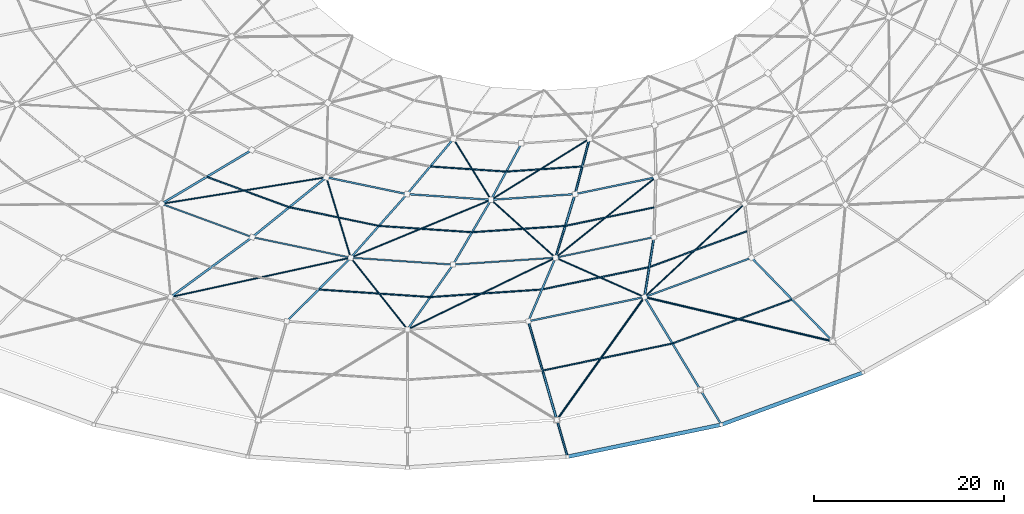
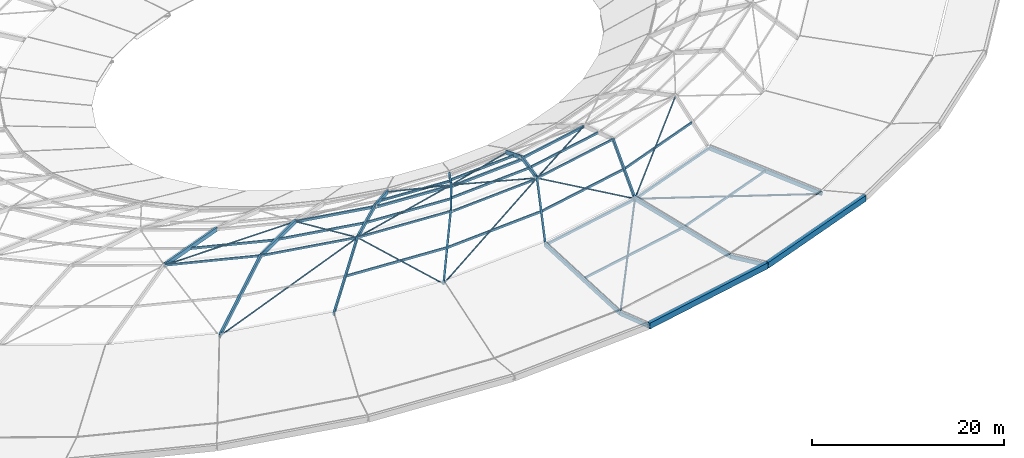
# One storey, part 3 of 30: 56 members, 2 beams.
"""IFC4 building model written with IfcOpenShell, lengths in metres."""

from ifc_helpers import new_model, si_unit, direction, frame, origin, origin_2d, place, context, subcontext, project, spatial, rectangle, hollow_rectangle, hollow_circle, extrude, material, material_profile, profile_set, type_object, element, save


model = new_model("IFC4")

# Units and contexts
model_context = context("Model", 3, precision=1e-05, world=origin(), true_north=direction((0.0, 1.0)))
body_context = subcontext(model_context, "Body", "Model", "MODEL_VIEW")
ifc_project = project(units=[si_unit("LENGTHUNIT", "METRE"), si_unit("AREAUNIT", "SQUARE_METRE"), si_unit("VOLUMEUNIT", "CUBIC_METRE"), si_unit("PLANEANGLEUNIT", "RADIAN"), si_unit("MASSUNIT", "GRAM", prefix="KILO")], contexts=[model_context])

# Site, building, storey
site_placement = place(None, origin())
site = spatial("IfcSite", under=ifc_project, at=site_placement, CompositionType="ELEMENT")
building_placement = place(site_placement, origin())
building = spatial("IfcBuilding", under=site, at=building_placement, Name="Namkhue Oval Health Centre", CompositionType="ELEMENT")
storey_placement = place(building_placement, frame((0.0, 0.0, 26.39990234375)))
storey = spatial("IfcBuildingStorey", under=building, at=storey_placement, Name="RF", CompositionType="ELEMENT", Elevation=26.39990234375)

# Beams
ifc_material_1 = material(Name="Precast architectural concrete C35/45 (TCVN B40)", Category="concrete")
ifc_material_profile_1 = material_profile(ifc_material_1, rectangle(XDim=0.39990234375, YDim=0.75, at=origin_2d()), Name="RC 400x750")
ifc_profile_set_1 = profile_set([ifc_material_profile_1], Name="Precast architectural concrete C35/45 (TCVN B40)")
beam_type = type_object("IfcBeamType", Name="CONCRETE EDGE BAND 400X750", PredefinedType="SPANDREL", material=ifc_profile_set_1)
beam_1_placement = place(storey_placement, frame((103.294921875, 1.1494140625, 0.7001953125), z_axis=(0.978936512804, 0.204164893896, 0.0), x_axis=(-0.204164893896, 0.978936512804, 0.0)))
element("IfcBeam", 1, at=beam_1_placement, inside=storey, type_object=beam_type, Name="Elliptical Roof Concrete Fascia Band 26", PredefinedType="SPANDREL", context=body_context, shape_type="SweptSolid", body=[
    extrude(rectangle(XDim=0.39990234375, YDim=0.75, at=origin_2d()), origin(), (0.0, 0.0, 1.0), 16.47705078125),
])
beam_2_placement = place(storey_placement, frame((119.50146484375, 4.535400390625, 0.7001953125), z_axis=(0.938632884907, 0.344917826982, 0.0), x_axis=(-0.344917826982, 0.938632884907, 0.0)))
element("IfcBeam", 2, at=beam_2_placement, inside=storey, type_object=beam_type, Name="Elliptical Roof Concrete Fascia Band 27", PredefinedType="SPANDREL", context=body_context, shape_type="SweptSolid", body=[
    extrude(rectangle(XDim=0.39990234375, YDim=0.75, at=origin_2d()), origin(), (0.0, 0.0, 1.0), 15.833984375),
])

# Members
ifc_material_2 = material(Name="Structural steel EN 10025-2 S355JR (TCVN 5575:2024)", Category="steel")
ifc_material_profile_2 = material_profile(ifc_material_2, hollow_circle(Radius=0.084228515625, WallThickness=0.008056640625, at=origin_2d()), Name="CHS 168.3x8")
ifc_profile_set_2 = profile_set([ifc_material_profile_2], Name="Structural steel EN 10025-2 S355JR (TCVN 5575:2024)")
member_type_1 = type_object("IfcMemberType", Name="DIAGONAL BRACE CHS 168", PredefinedType="BRACE", material=ifc_profile_set_2)
member_1_placement = place(storey_placement, frame((61.4658203125, 17.97314453125, 3.785400390625), z_axis=(0.962304376613, 0.210341858229, 0.172414005892), x_axis=(-0.213539706388, 0.976934385614, 0.0)))
element("IfcMember", 3, at=member_1_placement, inside=storey, type_object=member_type_1, Name="Gridshell Diagonal Brace K2-23", PredefinedType="BRACE", context=body_context, shape_type="SweptSolid", body=[
    extrude(hollow_circle(Radius=0.084228515625, WallThickness=0.008056640625, at=origin_2d()), origin(), (0.0, 0.0, 1.0), 19.658447265625),
])
member_2_placement = place(storey_placement, frame((86.38232421875, 14.5751953125, 3.7900390625), z_axis=(-0.585476240579, 0.739379576204, 0.332468666208), x_axis=(-0.783976634545, -0.620790332148, 0.0)))
element("IfcMember", 4, at=member_2_placement, inside=storey, type_object=member_type_1, Name="Gridshell Diagonal Brace K2-24", PredefinedType="BRACE", context=body_context, shape_type="SweptSolid", body=[
    extrude(hollow_circle(Radius=0.084228515625, WallThickness=0.008056640625, at=origin_2d()), origin(), (0.0, 0.0, 1.0), 10.166748046875),
])
member_3_placement = place(storey_placement, frame((86.426513671875, 14.56591796875, 3.785888671875), z_axis=(0.882889202682, 0.428276884017, 0.192576131448), x_axis=(-0.43644626971, 0.899730322739, 0.0)))
element("IfcMember", 5, at=member_3_placement, inside=storey, type_object=member_type_1, Name="Gridshell Diagonal Brace K2-25", PredefinedType="BRACE", context=body_context, shape_type="SweptSolid", body=[
    extrude(hollow_circle(Radius=0.084228515625, WallThickness=0.008056640625, at=origin_2d()), origin(), (0.0, 0.0, 1.0), 17.59521484375),
])
member_4_placement = place(storey_placement, frame((111.337158203125, 17.978271484375, 3.78955078125), z_axis=(-0.868015496358, 0.384001618191, 0.314788588276), x_axis=(-0.404569182492, -0.914507395584, 0.0)))
element("IfcMember", 6, at=member_4_placement, inside=storey, type_object=member_type_1, Name="Gridshell Diagonal Brace K2-26", PredefinedType="BRACE", context=body_context, shape_type="SweptSolid", body=[
    extrude(hollow_circle(Radius=0.084228515625, WallThickness=0.008056640625, at=origin_2d()), origin(), (0.0, 0.0, 1.0), 10.740966796875),
])
member_5_placement = place(storey_placement, frame((111.384521484375, 17.98681640625, 3.787109375), z_axis=(0.712553929293, 0.663036320099, 0.229455303011), x_axis=(-0.681211590717, 0.732086585502, 0.0)))
element("IfcMember", 7, at=member_5_placement, inside=storey, type_object=member_type_1, Name="Gridshell Diagonal Brace K2-27", PredefinedType="BRACE", context=body_context, shape_type="SweptSolid", body=[
    extrude(hollow_circle(Radius=0.084228515625, WallThickness=0.008056640625, at=origin_2d()), origin(), (0.0, 0.0, 1.0), 14.756591796875),
])
member_6_placement = place(storey_placement, frame((60.508544921875, 27.795654296875, 7.176513671875), z_axis=(0.979627896285, 0.157860038144, -0.124134576882), x_axis=(-0.159090541224, 0.98726399696, 0.0)))
element("IfcMember", 8, at=member_6_placement, inside=storey, type_object=member_type_1, Name="Gridshell Diagonal Brace K3-22", PredefinedType="BRACE", context=body_context, shape_type="SweptSolid", body=[
    extrude(hollow_circle(Radius=0.084228515625, WallThickness=0.008056640625, at=origin_2d()), origin(), (0.0, 0.0, 1.0), 17.663330078125),
])
member_7_placement = place(storey_placement, frame((80.40380859375, 22.142333984375, 7.1728515625), z_axis=(-0.281738687173, 0.928706160959, -0.241097861349), x_axis=(-0.956934967866, -0.29030237215, 0.0)))
element("IfcMember", 9, at=member_7_placement, inside=storey, type_object=member_type_1, Name="Gridshell Diagonal Brace K3-23", PredefinedType="BRACE", context=body_context, shape_type="SweptSolid", body=[
    extrude(hollow_circle(Radius=0.084228515625, WallThickness=0.008056640625, at=origin_2d()), origin(), (0.0, 0.0, 1.0), 9.06494140625),
])
member_8_placement = place(storey_placement, frame((80.439697265625, 22.125732421875, 7.176025390625), z_axis=(0.915805647914, 0.377804354967, -0.136249347214), x_axis=(-0.381360705269, 0.924426315331, 0.0)))
element("IfcMember", 10, at=member_8_placement, inside=storey, type_object=member_type_1, Name="Gridshell Diagonal Brace K3-24", PredefinedType="BRACE", context=body_context, shape_type="SweptSolid", body=[
    extrude(hollow_circle(Radius=0.084228515625, WallThickness=0.008056640625, at=origin_2d()), origin(), (0.0, 0.0, 1.0), 16.08740234375),
])
member_9_placement = place(storey_placement, frame((101.966064453125, 22.134033203125, 7.173095703125), z_axis=(-0.723042605411, 0.649835359534, -0.234357411361), x_axis=(-0.668451393492, -0.743755829919, 0.0)))
element("IfcMember", 11, at=member_9_placement, inside=storey, type_object=member_type_1, Name="Gridshell Diagonal Brace K3-25", PredefinedType="BRACE", context=body_context, shape_type="SweptSolid", body=[
    extrude(hollow_circle(Radius=0.084228515625, WallThickness=0.008056640625, at=origin_2d()), origin(), (0.0, 0.0, 1.0), 9.327880859375),
])
member_10_placement = place(storey_placement, frame((102.0107421875, 22.133056640625, 7.17529296875), z_axis=(0.77014658579, 0.617399982795, -0.160285675096), x_axis=(-0.625487113752, 0.780234497142, 0.0)))
element("IfcMember", 12, at=member_10_placement, inside=storey, type_object=member_type_1, Name="Gridshell Diagonal Brace K3-26", PredefinedType="BRACE", context=body_context, shape_type="SweptSolid", body=[
    extrude(hollow_circle(Radius=0.084228515625, WallThickness=0.008056640625, at=origin_2d()), origin(), (0.0, 0.0, 1.0), 13.665771484375),
])
member_11_placement = place(storey_placement, frame((95.185546875, 28.23828125, 4.9677734375), z_axis=(-0.478737347837, 0.775995281647, -0.410660291053), x_axis=(-0.85106946245, -0.525053111681, 0.0)))
element("IfcMember", 13, at=member_11_placement, inside=storey, type_object=member_type_1, Name="Gridshell Diagonal Brace K4-24", PredefinedType="BRACE", context=body_context, shape_type="SweptSolid", body=[
    extrude(hollow_circle(Radius=0.084228515625, WallThickness=0.008056640625, at=origin_2d()), origin(), (0.0, 0.0, 1.0), 8.2197265625),
])
member_12_placement = place(storey_placement, frame((95.224609375, 28.230224609375, 4.971923828125), z_axis=(0.818696289096, 0.507545579872, -0.268577494541), x_axis=(-0.526905084117, 0.84992413328, 0.0)))
element("IfcMember", 14, at=member_12_placement, inside=storey, type_object=member_type_1, Name="Gridshell Diagonal Brace K4-25", PredefinedType="BRACE", context=body_context, shape_type="SweptSolid", body=[
    extrude(hollow_circle(Radius=0.084228515625, WallThickness=0.008056640625, at=origin_2d()), origin(), (0.0, 0.0, 1.0), 12.598876953125),
])
ifc_material_profile_3 = material_profile(ifc_material_2, hollow_circle(Radius=0.109619140625, WallThickness=0.010009765625, at=origin_2d()), Name="CHS 219.1x10")
ifc_profile_set_3 = profile_set([ifc_material_profile_3], Name="Structural steel EN 10025-2 S355JR (TCVN 5575:2024)")
member_type_2 = type_object("IfcMemberType", Name="DIAGONAL BRACE CHS 219", PredefinedType="BRACE", material=ifc_profile_set_3)
member_13_placement = place(storey_placement, frame((102.149169921875, 5.049072265625, 0.28662109375), z_axis=(0.567118199003, 0.795073490057, 0.215023472601), x_axis=(-0.81411658814, 0.580701455926, 0.0)))
element("IfcMember", 15, at=member_13_placement, inside=storey, type_object=member_type_2, Name="Gridshell Diagonal Brace K1-26", PredefinedType="BRACE", context=body_context, shape_type="SweptSolid", body=[
    extrude(hollow_circle(Radius=0.109619140625, WallThickness=0.010009765625, at=origin_2d()), origin(), (0.0, 0.0, 1.0), 16.217041015625),
])
member_14_placement = place(storey_placement, frame((131.17236328125, 13.31005859375, 0.28515625), z_axis=(-0.959417449288, 0.225537703519, 0.169265774131), x_axis=(-0.228839759926, -0.973464105284, 0.0)))
element("IfcMember", 16, at=member_14_placement, inside=storey, type_object=member_type_2, Name="Gridshell Diagonal Brace K1-27", PredefinedType="BRACE", context=body_context, shape_type="SweptSolid", body=[
    extrude(hollow_circle(Radius=0.109619140625, WallThickness=0.010009765625, at=origin_2d()), origin(), (0.0, 0.0, 1.0), 20.616943359375),
])
ifc_material_3 = material(Name="Glulam timber GL28h", Category="wood")
ifc_material_profile_4 = material_profile(ifc_material_3, rectangle(XDim=0.199951171875, YDim=0.47998046875, at=origin_2d()), Name="GL28h 200x480")
ifc_profile_set_4 = profile_set([ifc_material_profile_4], Name="Glulam timber GL28h")
member_type_3 = type_object("IfcMemberType", Name="GRIDSHELL ARCH RIB GL28H 200X480", PredefinedType="USERDEFINED", material=ifc_profile_set_4)
member_15_placement = place(storey_placement, frame((73.673828125, 15.414794921875, 3.800048828125), z_axis=(0.66768885933, 0.663842530261, 0.336904559396), x_axis=(-0.705061255078, 0.709146407019, 0.0)))
element("IfcMember", 17, at=member_15_placement, inside=storey, type_object=member_type_3, Name="Gridshell Glulam Arch Rib K2-24", ObjectType="ARCH_SEGMENT", PredefinedType="USERDEFINED", context=body_context, shape_type="SweptSolid", body=[
    extrude(rectangle(XDim=0.199951171875, YDim=0.47998046875, at=origin_2d()), origin(), (0.0, 0.0, 1.0), 10.09228515625),
])
member_16_placement = place(storey_placement, frame((80.412353515625, 22.114501953125, 7.2001953125), z_axis=(0.644131380725, 0.726729981905, -0.238659376027), x_axis=(-0.748354938077, 0.663298489864, 0.0)))
element("IfcMember", 18, at=member_16_placement, inside=storey, type_object=member_type_3, Name="Gridshell Glulam Arch Rib K3-24", ObjectType="ARCH_SEGMENT", PredefinedType="USERDEFINED", context=body_context, shape_type="SweptSolid", body=[
    extrude(rectangle(XDim=0.199951171875, YDim=0.47998046875, at=origin_2d()), origin(), (0.0, 0.0, 1.0), 9.218994140625),
])
member_17_placement = place(storey_placement, frame((86.3505859375, 28.814208984375, 5.0), z_axis=(0.586598295518, 0.699480068256, -0.408203471087), x_axis=(-0.766225200981, 0.642572129323, 0.0)))
element("IfcMember", 19, at=member_17_placement, inside=storey, type_object=member_type_3, Name="Gridshell Glulam Arch Rib K4-24", ObjectType="ARCH_SEGMENT", PredefinedType="USERDEFINED", context=body_context, shape_type="SweptSolid", body=[
    extrude(rectangle(XDim=0.199951171875, YDim=0.47998046875, at=origin_2d()), origin(), (0.0, 0.0, 1.0), 8.328857421875),
])
member_18_placement = place(storey_placement, frame((86.39990234375, 14.552978515625, 3.800048828125), z_axis=(0.532469200349, 0.75776858887, 0.377178096397), x_axis=(-0.818200247827, 0.574933347838, 0.0)))
element("IfcMember", 20, at=member_18_placement, inside=storey, type_object=member_type_3, Name="Gridshell Glulam Arch Rib K2-25", ObjectType="ARCH_SEGMENT", PredefinedType="USERDEFINED", context=body_context, shape_type="SweptSolid", body=[
    extrude(rectangle(XDim=0.199951171875, YDim=0.47998046875, at=origin_2d()), origin(), (0.0, 0.0, 1.0), 9.0146484375),
])
member_19_placement = place(storey_placement, frame((91.199951171875, 21.384033203125, 7.2001953125), z_axis=(0.486849466364, 0.831423832328, -0.267790978447), x_axis=(-0.862940998502, 0.505304693333, 0.0)))
element("IfcMember", 21, at=member_19_placement, inside=storey, type_object=member_type_3, Name="Gridshell Glulam Arch Rib K3-25", ObjectType="ARCH_SEGMENT", PredefinedType="USERDEFINED", context=body_context, shape_type="SweptSolid", body=[
    extrude(rectangle(XDim=0.199951171875, YDim=0.47998046875, at=origin_2d()), origin(), (0.0, 0.0, 1.0), 8.216064453125),
])
member_20_placement = place(storey_placement, frame((95.199951171875, 28.215087890625, 5.0), z_axis=(0.423539614691, 0.786199650982, -0.450004781734), x_axis=(-0.880376968813, 0.474274596393, 0.0)))
element("IfcMember", 22, at=member_20_placement, inside=storey, type_object=member_type_3, Name="Gridshell Glulam Arch Rib K4-25", ObjectType="ARCH_SEGMENT", PredefinedType="USERDEFINED", context=body_context, shape_type="SweptSolid", body=[
    extrude(rectangle(XDim=0.199951171875, YDim=0.47998046875, at=origin_2d()), origin(), (0.0, 0.0, 1.0), 7.55517578125),
])
member_21_placement = place(storey_placement, frame((102.132080078125, 5.025146484375, 0.300048828125), z_axis=(-0.264415561893, 0.913943197849, 0.307883487272), x_axis=(-0.960605504985, -0.277915569541, 0.0)))
element("IfcMember", 23, at=member_21_placement, inside=storey, type_object=member_type_3, Name="Gridshell Glulam Arch Rib K1-26", ObjectType="ARCH_SEGMENT", PredefinedType="USERDEFINED", context=body_context, shape_type="SweptSolid", body=[
    extrude(rectangle(XDim=0.199951171875, YDim=0.47998046875, at=origin_2d()), origin(), (0.0, 0.0, 1.0), 11.367919921875),
])
member_22_placement = place(storey_placement, frame((99.126220703125, 15.414794921875, 3.800048828125), z_axis=(0.35593328521, 0.833335143138, 0.422923203064), x_axis=(-0.919627945779, 0.392790582045, 0.0)))
element("IfcMember", 24, at=member_22_placement, inside=storey, type_object=member_type_3, Name="Gridshell Glulam Arch Rib K2-26", ObjectType="ARCH_SEGMENT", PredefinedType="USERDEFINED", context=body_context, shape_type="SweptSolid", body=[
    extrude(rectangle(XDim=0.199951171875, YDim=0.47998046875, at=origin_2d()), origin(), (0.0, 0.0, 1.0), 8.03955078125),
])
member_23_placement = place(storey_placement, frame((101.98779296875, 22.114501953125, 7.2001953125), z_axis=(0.280598056719, 0.911910453871, -0.299472961529), x_axis=(-0.955775996438, 0.294095638581, 0.0)))
element("IfcMember", 25, at=member_23_placement, inside=storey, type_object=member_type_3, Name="Gridshell Glulam Arch Rib K3-26", ObjectType="ARCH_SEGMENT", PredefinedType="USERDEFINED", context=body_context, shape_type="SweptSolid", body=[
    extrude(rectangle(XDim=0.199951171875, YDim=0.47998046875, at=origin_2d()), origin(), (0.0, 0.0, 1.0), 7.346923828125),
])
member_24_placement = place(storey_placement, frame((104.04931640625, 28.814208984375, 5.0), z_axis=(0.219055559115, 0.842708819469, -0.491789088544), x_axis=(-0.967836136147, 0.251581425325, 0.0)))
element("IfcMember", 26, at=member_24_placement, inside=storey, type_object=member_type_3, Name="Gridshell Glulam Arch Rib K4-26", ObjectType="ARCH_SEGMENT", PredefinedType="USERDEFINED", context=body_context, shape_type="SweptSolid", body=[
    extrude(rectangle(XDim=0.199951171875, YDim=0.47998046875, at=origin_2d()), origin(), (0.0, 0.0, 1.0), 6.913330078125),
])
member_25_placement = place(storey_placement, frame((117.259521484375, 8.18017578125, 0.300048828125), z_axis=(-0.493424598626, 0.818989626124, 0.292896155269), x_axis=(-0.856554457361, -0.516056645705, 0.0)))
element("IfcMember", 27, at=member_25_placement, inside=storey, type_object=member_type_3, Name="Gridshell Glulam Arch Rib K1-27", ObjectType="ARCH_SEGMENT", PredefinedType="USERDEFINED", context=body_context, shape_type="SweptSolid", body=[
    extrude(rectangle(XDim=0.199951171875, YDim=0.47998046875, at=origin_2d()), origin(), (0.0, 0.0, 1.0), 11.94970703125),
])
member_26_placement = place(storey_placement, frame((111.36328125, 17.966796875, 3.800048828125), z_axis=(0.137826828537, 0.871958765955, 0.469778326246), x_axis=(-0.987736927248, 0.156127392059, 0.0)))
element("IfcMember", 28, at=member_26_placement, inside=storey, type_object=member_type_3, Name="Gridshell Glulam Arch Rib K2-27", ObjectType="ARCH_SEGMENT", PredefinedType="USERDEFINED", context=body_context, shape_type="SweptSolid", body=[
    extrude(rectangle(XDim=0.199951171875, YDim=0.47998046875, at=origin_2d()), origin(), (0.0, 0.0, 1.0), 7.23779296875),
])
member_27_placement = place(storey_placement, frame((131.201171875, 13.30322265625, 0.300048828125), z_axis=(-0.670274275808, 0.689658188071, 0.274051051478), x_axis=(-0.717112745142, -0.696957180001, 0.0)))
element("IfcMember", 29, at=member_27_placement, inside=storey, type_object=member_type_3, Name="Gridshell Glulam Arch Rib K1-28", ObjectType="ARCH_SEGMENT", PredefinedType="USERDEFINED", context=body_context, shape_type="SweptSolid", body=[
    extrude(rectangle(XDim=0.199951171875, YDim=0.47998046875, at=origin_2d()), origin(), (0.0, 0.0, 1.0), 12.771240234375),
])
ifc_material_profile_5 = material_profile(ifc_material_3, rectangle(XDim=0.219970703125, YDim=0.52001953125, at=origin_2d()), Name="GL28h 220x520")
ifc_profile_set_5 = profile_set([ifc_material_profile_5], Name="Glulam timber GL28h")
member_type_4 = type_object("IfcMemberType", Name="GRIDSHELL ARCH RIB GL28H 220X520", PredefinedType="USERDEFINED", material=ifc_profile_set_5)
member_28_placement = place(storey_placement, frame((60.479248046875, 27.790771484375, 7.2001953125), z_axis=(0.842336946642, 0.50256370374, -0.194674579759), x_axis=(-0.512366355735, 0.858766975093, 0.0)))
element("IfcMember", 30, at=member_28_placement, inside=storey, type_object=member_type_4, Name="Gridshell Glulam Arch Rib K3-22", ObjectType="ARCH_SEGMENT", PredefinedType="USERDEFINED", context=body_context, shape_type="SweptSolid", body=[
    extrude(rectangle(XDim=0.219970703125, YDim=0.52001953125, at=origin_2d()), origin(), (0.0, 0.0, 1.0), 11.302001953125),
])
member_29_placement = place(storey_placement, frame((61.436767578125, 17.966796875, 3.800048828125), z_axis=(0.768216272486, 0.563598428942, 0.30364546692), x_axis=(-0.591527338139, 0.806284942334, 0.0)))
element("IfcMember", 31, at=member_29_placement, inside=storey, type_object=member_type_4, Name="Gridshell Glulam Arch Rib K2-23", ObjectType="ARCH_SEGMENT", PredefinedType="USERDEFINED", context=body_context, shape_type="SweptSolid", body=[
    extrude(rectangle(XDim=0.219970703125, YDim=0.52001953125, at=origin_2d()), origin(), (0.0, 0.0, 1.0), 11.19775390625),
])
member_30_placement = place(storey_placement, frame((70.0390625, 24.27783203125, 7.2001953125), z_axis=(0.75946265504, 0.61429048571, -0.21415806024), x_axis=(-0.628881144646, 0.777501450744, 0.0)))
element("IfcMember", 32, at=member_30_placement, inside=storey, type_object=member_type_4, Name="Gridshell Glulam Arch Rib K3-23", ObjectType="ARCH_SEGMENT", PredefinedType="USERDEFINED", context=body_context, shape_type="SweptSolid", body=[
    extrude(rectangle(XDim=0.219970703125, YDim=0.52001953125, at=origin_2d()), origin(), (0.0, 0.0, 1.0), 10.273681640625),
])
ifc_material_profile_6 = material_profile(ifc_material_3, rectangle(XDim=0.199951171875, YDim=0.47998046875, at=origin_2d()), Name="GL28h 200x480")
ifc_profile_set_6 = profile_set([ifc_material_profile_6], Name="Glulam timber GL28h")
member_type_5 = type_object("IfcMemberType", Name="GRIDSHELL CANTILEVER RIB GL28H 200X480", PredefinedType="USERDEFINED", material=ifc_profile_set_6)
member_31_placement = place(storey_placement, frame((103.255859375, 1.141357421875, 0.7001953125), z_axis=(-0.276598225901, 0.95592539162, -0.098488918586), x_axis=(-0.960595665912, -0.277949575697, 0.0)))
element("IfcMember", 33, at=member_31_placement, inside=storey, type_object=member_type_5, Name="Gridshell Glulam Arch Rib K0-26", ObjectType="ARCH_SEGMENT", PredefinedType="USERDEFINED", context=body_context, shape_type="SweptSolid", body=[
    extrude(rectangle(XDim=0.199951171875, YDim=0.47998046875, at=origin_2d()), origin(), (0.0, 0.0, 1.0), 4.062744140625),
])
member_32_placement = place(storey_placement, frame((119.4638671875, 4.521484375, 0.7001953125), z_axis=(-0.513817025595, 0.852814480626, -0.093271248749), x_axis=(-0.856548401679, -0.516066696834, 0.0)))
element("IfcMember", 34, at=member_32_placement, inside=storey, type_object=member_type_5, Name="Gridshell Glulam Arch Rib K0-27", ObjectType="ARCH_SEGMENT", PredefinedType="USERDEFINED", context=body_context, shape_type="SweptSolid", body=[
    extrude(rectangle(XDim=0.199951171875, YDim=0.47998046875, at=origin_2d()), origin(), (0.0, 0.0, 1.0), 4.2900390625),
])
ifc_material_profile_7 = material_profile(ifc_material_2, hollow_rectangle(XDim=0.14990234375, YDim=0.25, WallThickness=0.008056640625, at=origin_2d()), Name="RHS 150x250x8")
ifc_profile_set_7 = profile_set([ifc_material_profile_7], Name="Structural steel EN 10025-2 S355JR (TCVN 5575:2024)")
member_type_6 = type_object("IfcMemberType", Name="GRIDSHELL HOOP PURLIN RHS 150X250", PredefinedType="PURLIN", material=ifc_profile_set_7)
member_33_placement = place(storey_placement, frame((60.535400390625, 27.770263671875, 7.19970703125), z_axis=(0.938632261845, -0.344919522532, 0.0), x_axis=(0.344919522532, 0.938632261845, 0.0)))
element("IfcMember", 35, at=member_33_placement, inside=storey, type_object=member_type_6, Name="Gridshell Hoop Purlin K3-22", PredefinedType="PURLIN", context=body_context, shape_type="SweptSolid", body=[
    extrude(hollow_rectangle(XDim=0.14990234375, YDim=0.25, WallThickness=0.008056640625, at=origin_2d()), origin(), (0.0, 0.0, 1.0), 10.065185546875),
])
member_34_placement = place(storey_placement, frame((70.097900390625, 24.265380859375, 7.1923828125), z_axis=(0.978940656003, -0.204145026938, 0.0), x_axis=(0.204145026938, 0.978940656003, 0.0)))
element("IfcMember", 36, at=member_34_placement, inside=storey, type_object=member_type_6, Name="Gridshell Hoop Purlin K3-23", PredefinedType="PURLIN", context=body_context, shape_type="SweptSolid", body=[
    extrude(hollow_rectangle(XDim=0.14990234375, YDim=0.25, WallThickness=0.008056640625, at=origin_2d()), origin(), (0.0, 0.0, 1.0), 10.476318359375),
])
for number, where, z_axis, x_axis, name in (
    (37, (80.47216796875, 22.1103515625, 7.185302734375), (0.99771653977, -0.06754040472, 0.0), (0.06754040472, 0.99771653977, 0.0), "Gridshell Hoop Purlin K3-24"),
    (38, (91.260009765625, 21.38818359375, 7.097412109375), (0.99771653977, 0.06754040472, 0.0), (-0.06754040472, 0.99771653977, 0.0), "Gridshell Hoop Purlin K3-25"),
):
    element("IfcMember", number, at=place(storey_placement, frame(where, z_axis=z_axis, x_axis=x_axis)), inside=storey, type_object=member_type_6, Name=name, PredefinedType="PURLIN", context=body_context, shape_type="SweptSolid", body=[
        extrude(hollow_rectangle(XDim=0.14990234375, YDim=0.25, WallThickness=0.008056640625, at=origin_2d()), origin(), (0.0, 0.0, 1.0), 10.6923828125),
    ])
member_35_placement = place(storey_placement, frame((102.04638671875, 22.126708984375, 7.17236328125), z_axis=(0.978940656003, 0.204145026938, 0.0), x_axis=(-0.204145026938, 0.978940656003, 0.0)))
element("IfcMember", 39, at=member_35_placement, inside=storey, type_object=member_type_6, Name="Gridshell Hoop Purlin K3-26", PredefinedType="PURLIN", context=body_context, shape_type="SweptSolid", body=[
    extrude(hollow_rectangle(XDim=0.14990234375, YDim=0.25, WallThickness=0.008056640625, at=origin_2d()), origin(), (0.0, 0.0, 1.0), 10.476318359375),
])
ifc_material_profile_8 = material_profile(ifc_material_2, hollow_rectangle(XDim=0.179931640625, YDim=0.300048828125, WallThickness=0.010009765625, at=origin_2d()), Name="RHS 180x300x10")
ifc_profile_set_8 = profile_set([ifc_material_profile_8], Name="Structural steel EN 10025-2 S355JR (TCVN 5575:2024)")
member_type_7 = type_object("IfcMemberType", Name="GRIDSHELL HOOP PURLIN RHS 180X300", PredefinedType="PURLIN", material=ifc_profile_set_8)
member_36_placement = place(storey_placement, frame((99.184814453125, 15.427001953125, 3.74267578125), z_axis=(0.978937414427, 0.204160570718, 0.0), x_axis=(-0.204160570718, 0.978937414427, 0.0)))
element("IfcMember", 40, at=member_36_placement, inside=storey, type_object=member_type_7, Name="Gridshell Hoop Purlin K2-26", PredefinedType="PURLIN", context=body_context, shape_type="SweptSolid", body=[
    extrude(hollow_rectangle(XDim=0.179931640625, YDim=0.300048828125, WallThickness=0.010009765625, at=origin_2d()), origin(), (0.0, 0.0, 1.0), 12.38037109375),
])
member_37_placement = place(storey_placement, frame((111.41943359375, 17.987548828125, 3.73583984375), z_axis=(0.938635726109, 0.344910095057, 0.0), x_axis=(-0.344910095057, 0.938635726109, 0.0)))
element("IfcMember", 41, at=member_37_placement, inside=storey, type_object=member_type_7, Name="Gridshell Hoop Purlin K2-27", PredefinedType="PURLIN", context=body_context, shape_type="SweptSolid", body=[
    extrude(hollow_rectangle(XDim=0.179931640625, YDim=0.300048828125, WallThickness=0.010009765625, at=origin_2d()), origin(), (0.0, 0.0, 1.0), 11.895263671875),
])
member_38_placement = place(storey_placement, frame((77.900146484375, 30.57666015625, 4.94873046875), z_axis=(0.978935140762, -0.204171472497, 0.0), x_axis=(0.204171472497, 0.978935140762, 0.0)))
element("IfcMember", 42, at=member_38_placement, inside=storey, type_object=member_type_7, Name="Gridshell Hoop Purlin K4-23", PredefinedType="PURLIN", context=body_context, shape_type="SweptSolid", body=[
    extrude(hollow_rectangle(XDim=0.179931640625, YDim=0.300048828125, WallThickness=0.010009765625, at=origin_2d()), origin(), (0.0, 0.0, 1.0), 8.572509765625),
])
for number, where, z_axis, x_axis, name in (
    (43, (86.41064453125, 28.810302734375, 4.87890625), (0.99771372189, -0.067582017967, 0.0), (0.067582017967, 0.99771372189, 0.0), "Gridshell Hoop Purlin K4-24"),
    (44, (95.260009765625, 28.218994140625, 4.77294921875), (0.99771372189, 0.067582017967, 0.0), (-0.067582017967, 0.99771372189, 0.0), "Gridshell Hoop Purlin K4-25"),
):
    element("IfcMember", number, at=place(storey_placement, frame(where, z_axis=z_axis, x_axis=x_axis)), inside=storey, type_object=member_type_7, Name=name, PredefinedType="PURLIN", context=body_context, shape_type="SweptSolid", body=[
        extrude(hollow_rectangle(XDim=0.179931640625, YDim=0.300048828125, WallThickness=0.010009765625, at=origin_2d()), origin(), (0.0, 0.0, 1.0), 8.74951171875),
    ])
member_39_placement = place(storey_placement, frame((104.10791015625, 28.826416015625, 4.916748046875), z_axis=(0.978935140762, 0.204171472497, 0.0), x_axis=(-0.204171472497, 0.978935140762, 0.0)))
element("IfcMember", 45, at=member_39_placement, inside=storey, type_object=member_type_7, Name="Gridshell Hoop Purlin K4-26", PredefinedType="PURLIN", context=body_context, shape_type="SweptSolid", body=[
    extrude(hollow_rectangle(XDim=0.179931640625, YDim=0.300048828125, WallThickness=0.010009765625, at=origin_2d()), origin(), (0.0, 0.0, 1.0), 8.572509765625),
])
ifc_material_profile_9 = material_profile(ifc_material_3, rectangle(XDim=0.139892578125, YDim=0.280029296875, at=origin_2d()), Name="GL28h 140x280")
ifc_profile_set_9 = profile_set([ifc_material_profile_9], Name="Glulam timber GL28h")
member_type_8 = type_object("IfcMemberType", Name="GRIDSHELL SUB PURLIN GL28H 140X280", PredefinedType="PURLIN", material=ifc_profile_set_9)
member_40_placement = place(storey_placement, frame((100.70751953125, 10.236328125, 2.04833984375), z_axis=(0.978937619666, 0.204159586607, 0.0), x_axis=(-0.204159586607, 0.978937619666, 0.0)))
element("IfcMember", 46, at=member_40_placement, inside=storey, type_object=member_type_8, Name="Gridshell Secondary Purlin K1-26", PredefinedType="PURLIN", context=body_context, shape_type="SweptSolid", body=[
    extrude(rectangle(XDim=0.139892578125, YDim=0.280029296875, at=origin_2d()), origin(), (0.0, 0.0, 1.0), 13.816650390625),
])
member_41_placement = place(storey_placement, frame((114.386474609375, 13.10107421875, 2.0498046875), z_axis=(0.938629175366, 0.344927921676, 0.0), x_axis=(-0.344927921676, 0.938629175366, 0.0)))
element("IfcMember", 47, at=member_41_placement, inside=storey, type_object=member_type_8, Name="Gridshell Secondary Purlin K1-27", PredefinedType="PURLIN", context=body_context, shape_type="SweptSolid", body=[
    extrude(rectangle(XDim=0.139892578125, YDim=0.280029296875, at=origin_2d()), origin(), (0.0, 0.0, 1.0), 13.274169921875),
])
member_42_placement = place(storey_placement, frame((77.122802734375, 18.75927734375, 5.4755859375), z_axis=(0.997714720436, -0.067567274817, 0.0), x_axis=(0.067567274817, 0.997714720436, 0.0)))
element("IfcMember", 48, at=member_42_placement, inside=storey, type_object=member_type_8, Name="Gridshell Secondary Purlin K2-24", PredefinedType="PURLIN", context=body_context, shape_type="SweptSolid", body=[
    extrude(rectangle(XDim=0.139892578125, YDim=0.280029296875, at=origin_2d()), origin(), (0.0, 0.0, 1.0), 11.6240234375),
])
member_43_placement = place(storey_placement, frame((88.8798828125, 17.973876953125, 5.46923828125), z_axis=(0.997714624546, 0.067568690732, 0.0), x_axis=(-0.067568690732, 0.997714624546, 0.0)))
element("IfcMember", 49, at=member_43_placement, inside=storey, type_object=member_type_8, Name="Gridshell Secondary Purlin K2-25", PredefinedType="PURLIN", context=body_context, shape_type="SweptSolid", body=[
    extrude(rectangle(XDim=0.139892578125, YDim=0.280029296875, at=origin_2d()), origin(), (0.0, 0.0, 1.0), 11.623779296875),
])
member_44_placement = place(storey_placement, frame((100.63525390625, 18.781005859375, 5.46240234375), z_axis=(0.978939021999, 0.204152862353, 0.0), x_axis=(-0.204152862353, 0.978939021999, 0.0)))
element("IfcMember", 50, at=member_44_placement, inside=storey, type_object=member_type_8, Name="Gridshell Secondary Purlin K2-26", PredefinedType="PURLIN", context=body_context, shape_type="SweptSolid", body=[
    extrude(rectangle(XDim=0.139892578125, YDim=0.280029296875, at=origin_2d()), origin(), (0.0, 0.0, 1.0), 11.38818359375),
])
member_45_placement = place(storey_placement, frame((111.93701171875, 21.14990234375, 5.456298828125), z_axis=(0.938633491841, 0.344916175314, 0.0), x_axis=(-0.344916175314, 0.938633491841, 0.0)))
element("IfcMember", 51, at=member_45_placement, inside=storey, type_object=member_type_8, Name="Gridshell Secondary Purlin K2-27", PredefinedType="PURLIN", context=body_context, shape_type="SweptSolid", body=[
    extrude(rectangle(XDim=0.139892578125, YDim=0.280029296875, at=origin_2d()), origin(), (0.0, 0.0, 1.0), 10.940185546875),
])
member_46_placement = place(storey_placement, frame((65.314453125, 30.60302734375, 5.938232421875), z_axis=(0.938634703535, -0.344912877869, 0.0), x_axis=(0.344912877869, 0.938634703535, 0.0)))
element("IfcMember", 52, at=member_46_placement, inside=storey, type_object=member_type_8, Name="Gridshell Secondary Purlin K3-22", PredefinedType="PURLIN", context=body_context, shape_type="SweptSolid", body=[
    extrude(rectangle(XDim=0.139892578125, YDim=0.280029296875, at=origin_2d()), origin(), (0.0, 0.0, 1.0), 9.10986328125),
])
member_47_placement = place(storey_placement, frame((74.0185546875, 27.4169921875, 5.995361328125), z_axis=(0.978938853686, -0.204153669434, 0.0), x_axis=(0.204153669434, 0.978938853686, 0.0)))
element("IfcMember", 53, at=member_47_placement, inside=storey, type_object=member_type_8, Name="Gridshell Secondary Purlin K3-23", PredefinedType="PURLIN", context=body_context, shape_type="SweptSolid", body=[
    extrude(rectangle(XDim=0.139892578125, YDim=0.280029296875, at=origin_2d()), origin(), (0.0, 0.0, 1.0), 9.484375),
])
for number, where, z_axis, x_axis, name in (
    (54, (83.461181640625, 25.458984375, 6.0048828125), (0.997715208345, -0.067560069842, 0.0), (0.067560069842, 0.997715208345, 0.0), "Gridshell Secondary Purlin K3-24"),
    (55, (93.27978515625, 24.804931640625, 6.089599609375), (0.997715208345, 0.067560069842, 0.0), (-0.067560069842, 0.997715208345, 0.0), "Gridshell Secondary Purlin K3-25"),
):
    element("IfcMember", number, at=place(storey_placement, frame(where, z_axis=z_axis, x_axis=x_axis)), inside=storey, type_object=member_type_8, Name=name, PredefinedType="PURLIN", context=body_context, shape_type="SweptSolid", body=[
        extrude(rectangle(XDim=0.139892578125, YDim=0.280029296875, at=origin_2d()), origin(), (0.0, 0.0, 1.0), 9.68115234375),
    ])
member_48_placement = place(storey_placement, frame((103.0966796875, 25.480712890625, 6.09228515625), z_axis=(0.978938853686, 0.204153669434, 0.0), x_axis=(-0.204153669434, 0.978938853686, 0.0)))
element("IfcMember", 56, at=member_48_placement, inside=storey, type_object=member_type_8, Name="Gridshell Secondary Purlin K3-26", PredefinedType="PURLIN", context=body_context, shape_type="SweptSolid", body=[
    extrude(rectangle(XDim=0.139892578125, YDim=0.280029296875, at=origin_2d()), origin(), (0.0, 0.0, 1.0), 9.484375),
])
for number, where, z_axis, x_axis, name in (
    (57, (88.873291015625, 31.7216796875, 3.12744140625), (0.997716088894, -0.067547064791, 0.0), (0.067547064791, 0.997716088894, 0.0), "Gridshell Secondary Purlin K4-24"),
    (58, (96.8798828125, 31.1904296875, 3.244873046875), (0.997716088894, 0.067547064791, 0.0), (-0.067547064791, 0.997716088894, 0.0), "Gridshell Secondary Purlin K4-25"),
):
    element("IfcMember", number, at=place(storey_placement, frame(where, z_axis=z_axis, x_axis=x_axis)), inside=storey, type_object=member_type_8, Name=name, PredefinedType="PURLIN", context=body_context, shape_type="SweptSolid", body=[
        extrude(rectangle(XDim=0.139892578125, YDim=0.280029296875, at=origin_2d()), origin(), (0.0, 0.0, 1.0), 7.864990234375),
    ])

save(model, "model.ifc")
